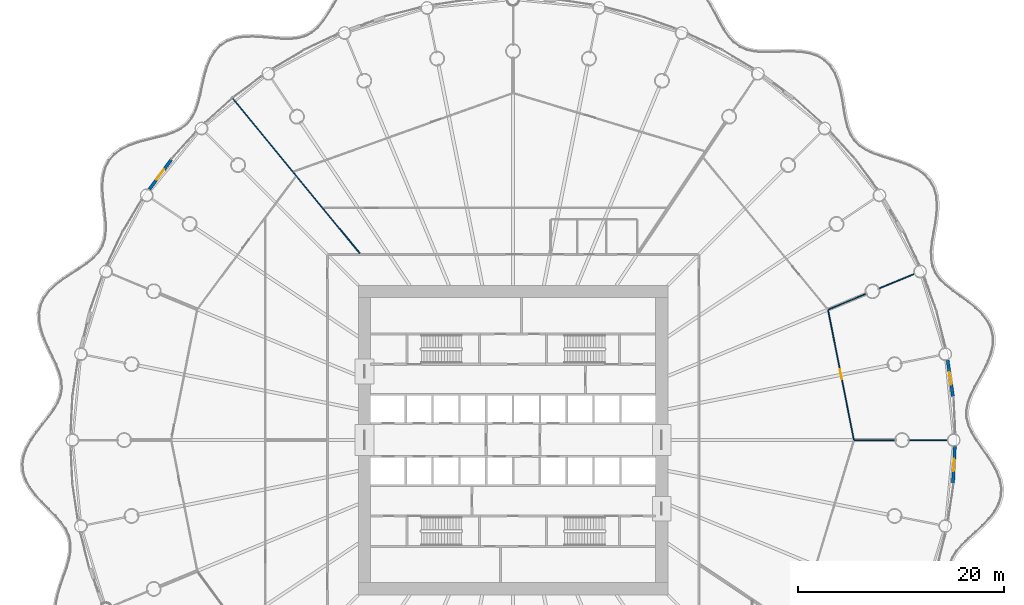
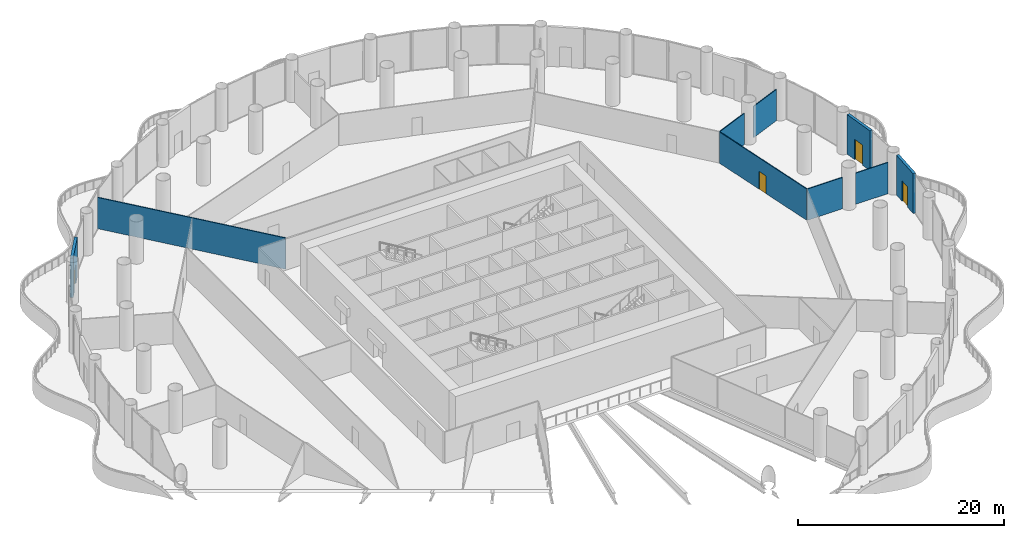
# One storey, part 27 of 36: 9 walls, 4 doors, 4 openings.
"""IFC4 building model written with IfcOpenShell, lengths in metres."""

from ifc_helpers import new_model, si_unit, direction, frame, frame_2d, origin, place, context, subcontext, project, spatial, rectangle, extrude, material, layer, layer_set, type_object, element, fill, save


model = new_model("IFC4")

# Units and contexts
model_context = context("Model", 3, precision=1e-05, world=origin(), true_north=direction((0.0, 1.0)))
body_context = subcontext(model_context, "Body", "Model", "MODEL_VIEW")
ifc_project = project(units=[si_unit("LENGTHUNIT", "METRE"), si_unit("AREAUNIT", "SQUARE_METRE"), si_unit("VOLUMEUNIT", "CUBIC_METRE"), si_unit("PLANEANGLEUNIT", "RADIAN"), si_unit("MASSUNIT", "GRAM", prefix="KILO")], contexts=[model_context])

# Site, building, storey
site_placement = place(None, origin())
site = spatial("IfcSite", under=ifc_project, at=site_placement, CompositionType="ELEMENT")
building_placement = place(site_placement, origin())
building = spatial("IfcBuilding", under=site, at=building_placement, Name="Corvane Civic Tower", CompositionType="ELEMENT")
storey_placement = place(building_placement, frame((0.0, 0.0, 17.0)))
storey = spatial("IfcBuildingStorey", under=building, at=storey_placement, Name="L03", CompositionType="ELEMENT", Elevation=17.0)

# Wall, opening, door
ifc_material_1 = material(Name="Terracotta cladding", Category="masonry")
ifc_layer_1 = layer(ifc_material_1, 0.300048828125)
ifc_layer_set_1 = layer_set([ifc_layer_1], Name="Terracotta cladding")
wall_type_1 = type_object("IfcWallType", Name="PODIUM-W-DRUMDOOR-300", PredefinedType="SOLIDWALL", material=ifc_layer_set_1)
wall_1_placement = place(storey_placement, frame((42.119384765625, 7.73388671875, 0.0), z_axis=(0.0, 0.0, 1.0), x_axis=(0.146700279714, -0.989180988461, 0.0)))
wall_1 = element("IfcWall", 1, at=wall_1_placement, inside=storey, type_object=wall_type_1, Name="L03 drum door bay wall 08", PredefinedType="SOLIDWALL", context=body_context, shape_type="SweptSolid", body=[
    extrude(rectangle(XDim=3.559814453125, YDim=0.300048828125, at=frame_2d((1.77978515625, 0.0))), origin(), (0.0, 0.0, 1.0), 4.699951171875),
])
opening_1_placement = place(wall_1_placement, frame((1.179931640625, 0.0, 0.0)))
opening_1 = element("IfcOpeningElement", 2, at=opening_1_placement, cuts=wall_1, Name="Opening ED-L03-08", PredefinedType="OPENING", context=body_context, shape_type="SweptSolid", body=[
    extrude(rectangle(XDim=1.199951171875, YDim=2.39990234375, at=frame_2d((0.60009765625, 1.199951171875))), frame((0.0, 0.159912109375, 0.0), z_axis=(0.0, -1.0, 0.0), x_axis=(1.0, 0.0, 0.0)), (0.0, 0.0, 1.0), 0.320068359375),
])
ifc_material_2 = material(Name="Anodised aluminium and glass", Category="aluminium")
door_type_1 = type_object("IfcDoorType", Name="PODIUM-D-BALCONY-1200", OperationType="SINGLE_SWING_LEFT", PredefinedType="DOOR", material=ifc_material_2)
door_1_placement = place(opening_1_placement, origin())
door_1 = element("IfcDoor", 3, at=door_1_placement, inside=storey, type_object=door_type_1, Name="L03 balcony door 08", OperationType="SINGLE_SWING_RIGHT", OverallHeight=2.39990234375, OverallWidth=1.199951171875, PredefinedType="DOOR", context=body_context, shape_type="SweptSolid", body=[
    extrude(rectangle(XDim=1.199951171875, YDim=2.39990234375, at=frame_2d((0.60009765625, 1.199951171875))), frame((0.0, 0.02490234375, 0.0), z_axis=(0.0, -1.0, 0.0), x_axis=(1.0, 0.0, 0.0)), (0.0, 0.0, 1.0), 0.050048828125),
])
fill(opening_1, door_1)

wall_2_placement = place(storey_placement, frame((42.81884765625, -0.6318359375, 0.0), z_axis=(0.0, 0.0, 1.0), x_axis=(-0.049103014495, -0.998793719427, 0.0)))
wall_2 = element("IfcWall", 4, at=wall_2_placement, inside=storey, type_object=wall_type_1, Name="L03 drum door bay wall 09", PredefinedType="SOLIDWALL", context=body_context, shape_type="SweptSolid", body=[
    extrude(rectangle(XDim=3.56005859375, YDim=0.300048828125, at=frame_2d((1.780029296875, 0.0))), origin(), (0.0, 0.0, 1.0), 4.699951171875),
])
opening_2_placement = place(wall_2_placement, frame((1.179931640625, 0.0, 0.0)))
opening_2 = element("IfcOpeningElement", 5, at=opening_2_placement, cuts=wall_2, Name="Opening ED-L03-09", PredefinedType="OPENING", context=body_context, shape_type="SweptSolid", body=[
    extrude(rectangle(XDim=1.199951171875, YDim=2.39990234375, at=frame_2d((0.60009765625, 1.199951171875))), frame((0.0, 0.159912109375, 0.0), z_axis=(0.0, -1.0, 0.0), x_axis=(1.0, 0.0, 0.0)), (0.0, 0.0, 1.0), 0.320068359375),
])
door_2_placement = place(opening_2_placement, origin())
door_2 = element("IfcDoor", 6, at=door_2_placement, inside=storey, type_object=door_type_1, Name="L03 balcony door 09", OperationType="SINGLE_SWING_LEFT", OverallHeight=2.39990234375, OverallWidth=1.199951171875, PredefinedType="DOOR", context=body_context, shape_type="SweptSolid", body=[
    extrude(rectangle(XDim=1.199951171875, YDim=2.39990234375, at=frame_2d((0.60009765625, 1.199951171875))), frame((0.0, 0.02490234375, 0.0), z_axis=(0.0, -1.0, 0.0), x_axis=(1.0, 0.0, 0.0)), (0.0, 0.0, 1.0), 0.050048828125),
])
fill(opening_2, door_2)

wall_3_placement = place(storey_placement, frame((-35.25146484375, 24.314208984375, 0.0), z_axis=(0.0, 0.0, 1.0), x_axis=(0.595722774963, 0.803190124061, 0.0)))
wall_3 = element("IfcWall", 7, at=wall_3_placement, inside=storey, type_object=wall_type_1, Name="L03 drum door bay wall 28", PredefinedType="SOLIDWALL", context=body_context, shape_type="SweptSolid", body=[
    extrude(rectangle(XDim=3.559814453125, YDim=0.300048828125, at=frame_2d((1.77978515625, 0.0))), origin(), (0.0, 0.0, 1.0), 4.699951171875),
])
opening_3_placement = place(wall_3_placement, frame((1.179931640625, 0.0, 0.0)))
opening_3 = element("IfcOpeningElement", 8, at=opening_3_placement, cuts=wall_3, Name="Opening ED-L03-28", PredefinedType="OPENING", context=body_context, shape_type="SweptSolid", body=[
    extrude(rectangle(XDim=1.199951171875, YDim=2.39990234375, at=frame_2d((0.60009765625, 1.199951171875))), frame((0.0, 0.159912109375, 0.0), z_axis=(0.0, -1.0, 0.0), x_axis=(1.0, 0.0, 0.0)), (0.0, 0.0, 1.0), 0.320068359375),
])
door_3_placement = place(opening_3_placement, origin())
door_3 = element("IfcDoor", 9, at=door_3_placement, inside=storey, type_object=door_type_1, Name="L03 balcony door 28", OperationType="SINGLE_SWING_RIGHT", OverallHeight=2.39990234375, OverallWidth=1.199951171875, PredefinedType="DOOR", context=body_context, shape_type="SweptSolid", body=[
    extrude(rectangle(XDim=1.199951171875, YDim=2.39990234375, at=frame_2d((0.60009765625, 1.199951171875))), frame((0.0, 0.02490234375, 0.0), z_axis=(0.0, -1.0, 0.0), x_axis=(1.0, 0.0, 0.0)), (0.0, 0.0, 1.0), 0.050048828125),
])
fill(opening_3, door_3)

# Walls
ifc_material_3 = material(Name="Plasterboard")
ifc_layer_2 = layer(ifc_material_3, 0.10009765625)
ifc_layer_set_2 = layer_set([ifc_layer_2], Name="Plasterboard")
wall_type_2 = type_object("IfcWallType", Name="Partition 100 plasterboard on studs", PredefinedType="PARTITIONING", material=ifc_layer_set_2)
wall_4_placement = place(storey_placement, frame((33.079345703125, 0.0, 0.0), z_axis=(0.0, 0.0, 1.0), x_axis=(1.0, 0.0, 0.0)))
element("IfcWall", 10, at=wall_4_placement, inside=storey, type_object=wall_type_2, Name="Partition L03.021", PredefinedType="PARTITIONING", context=body_context, shape_type="SweptSolid", body=[
    extrude(rectangle(XDim=3.91064453125, YDim=0.10009765625, at=frame_2d((1.955322265625, 0.0))), origin(), (0.0, 0.0, 1.0), 3.699951171875),
])
wall_5_placement = place(storey_placement, frame((38.409912109375, 0.0, 0.0), z_axis=(0.0, 0.0, 1.0), x_axis=(1.0, 0.0, 0.0)))
element("IfcWall", 11, at=wall_5_placement, inside=storey, type_object=wall_type_2, Name="Partition L03.022", PredefinedType="PARTITIONING", context=body_context, shape_type="SweptSolid", body=[
    extrude(rectangle(XDim=3.68017578125, YDim=0.10009765625, at=frame_2d((1.840087890625, 0.0))), origin(), (0.0, 0.0, 1.0), 3.699951171875),
])

# Wall, opening, door
wall_6_placement = place(storey_placement, frame((30.531494140625, 12.602783203125, 0.0), z_axis=(0.0, 0.0, 1.0), x_axis=(0.195086017346, -0.980786136645, 0.0)))
wall_6 = element("IfcWall", 12, at=wall_6_placement, inside=storey, type_object=wall_type_2, Name="Partition L03.024", PredefinedType="PARTITIONING", context=body_context, shape_type="SweptSolid", body=[
    extrude(rectangle(XDim=12.80859375, YDim=0.10009765625, at=frame_2d((6.404296875, 0.0))), origin(), (0.0, 0.0, 1.0), 3.699951171875),
])
opening_4_placement = place(wall_6_placement, frame((5.847900390625, 0.0, 0.0)))
opening_4 = element("IfcOpeningElement", 13, at=opening_4_placement, cuts=wall_6, Name="Opening L03.022", PredefinedType="OPENING", context=body_context, shape_type="SweptSolid", body=[
    extrude(rectangle(XDim=1.0, YDim=2.10009765625, at=frame_2d((0.5, 1.050048828125))), frame((0.0, 0.06005859375, 0.0), z_axis=(0.0, -1.0, 0.0), x_axis=(1.0, 0.0, 0.0)), (0.0, 0.0, 1.0), 0.1201171875),
])
ifc_material_4 = material(Name="Timber", Category="wood")
door_type_2 = type_object("IfcDoorType", Name="Single door 1000", OperationType="NOTDEFINED", PredefinedType="DOOR", material=ifc_material_4)
door_4_placement = place(opening_4_placement, origin())
door_4 = element("IfcDoor", 14, at=door_4_placement, inside=storey, type_object=door_type_2, Name="Door L03.022", OperationType="SINGLE_SWING_LEFT", OverallHeight=2.10009765625, OverallWidth=1.0, PredefinedType="DOOR", context=body_context, shape_type="SweptSolid", body=[
    extrude(rectangle(XDim=1.0, YDim=2.10009765625, at=frame_2d((0.5, 1.050048828125))), frame((0.0, 0.02490234375, 0.0), z_axis=(0.0, -1.0, 0.0), x_axis=(1.0, 0.0, 0.0)), (0.0, 0.0, 1.0), 0.050048828125),
])
fill(opening_4, door_4)

# Walls
wall_7_placement = place(storey_placement, frame((30.561279296875, 12.658935546875, 0.0), z_axis=(0.0, 0.0, 1.0), x_axis=(0.923878351877, 0.382686282655, 0.0)))
element("IfcWall", 15, at=wall_7_placement, inside=storey, type_object=wall_type_2, Name="Partition L03.025", PredefinedType="PARTITIONING", context=body_context, shape_type="SweptSolid", body=[
    extrude(rectangle(XDim=3.91064453125, YDim=0.10009765625, at=frame_2d((1.955322265625, 0.0))), origin(), (0.0, 0.0, 1.0), 3.699951171875),
])
wall_8_placement = place(storey_placement, frame((35.486328125, 14.698974609375, 0.0), z_axis=(0.0, 0.0, 1.0), x_axis=(0.923877746385, 0.382687744427, 0.0)))
element("IfcWall", 16, at=wall_8_placement, inside=storey, type_object=wall_type_2, Name="Partition L03.030", PredefinedType="PARTITIONING", context=body_context, shape_type="SweptSolid", body=[
    extrude(rectangle(XDim=3.6796875, YDim=0.10009765625, at=frame_2d((1.83984375, 0.0))), origin(), (0.0, 0.0, 1.0), 3.699951171875),
])
wall_9_placement = place(storey_placement, frame((-27.247314453125, 33.200927734375, 0.0), z_axis=(0.0, 0.0, 1.0), x_axis=(0.634391140533, -0.77301221259, 0.0)))
element("IfcWall", 17, at=wall_9_placement, inside=storey, type_object=wall_type_2, Name="Partition L03.035", PredefinedType="PARTITIONING", context=body_context, shape_type="SweptSolid", body=[
    extrude(rectangle(XDim=19.526611328125, YDim=0.10009765625, at=frame_2d((9.76318359375, 0.0))), origin(), (0.0, 0.0, 1.0), 3.699951171875),
])

save(model, "model.ifc")
